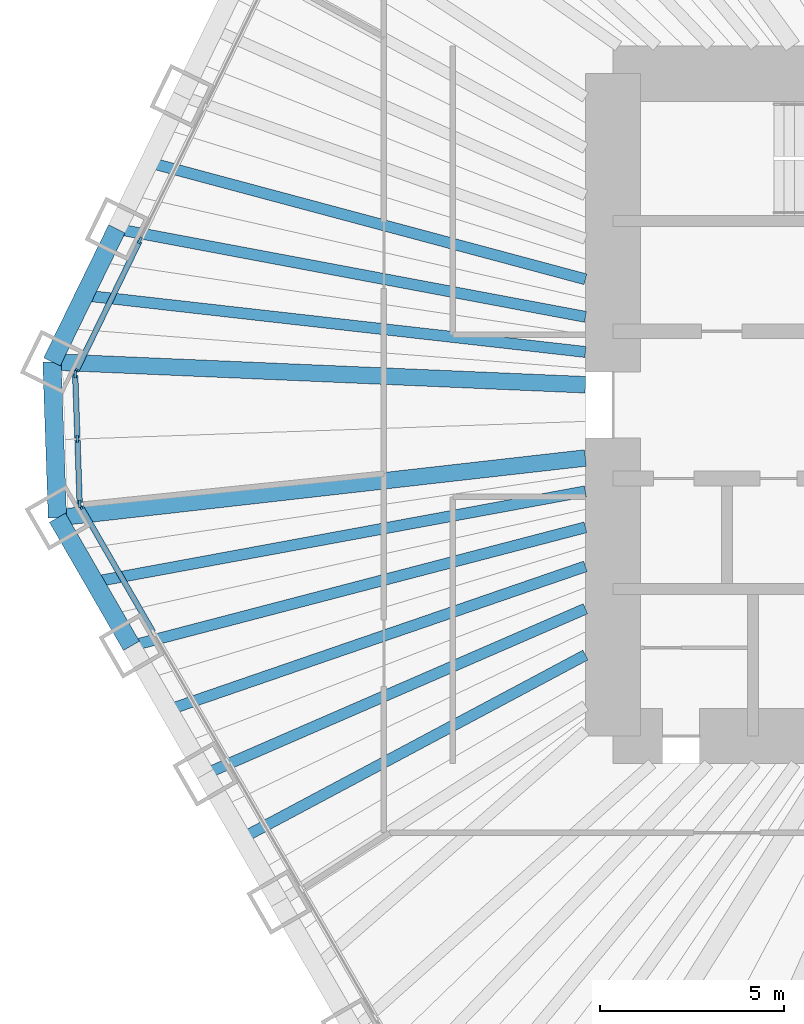
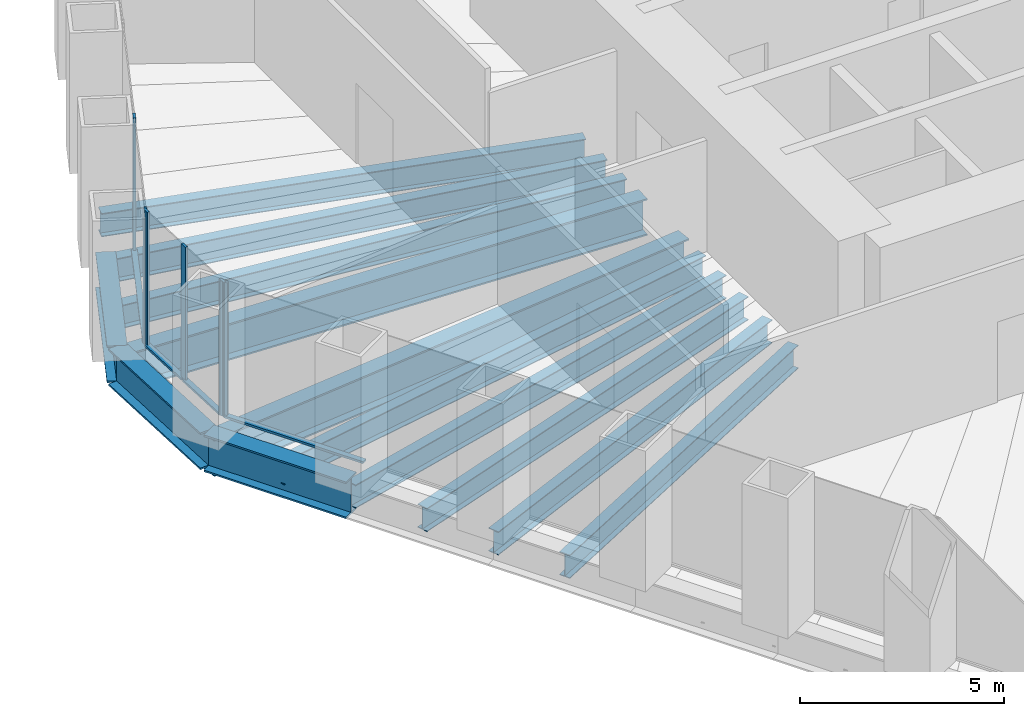
# One storey, part 3 of 13: 13 beams, 10 members, 3 elements without a shape of their own.
"""IFC4 building model written with IfcOpenShell, lengths in metres."""

from ifc_helpers import new_model, si_unit, direction, frame, origin, origin_2d, place, context, subcontext, project, spatial, rectangle, i_section, extrude, material, material_profile, profile_set, type_object, element, aggregate, save


model = new_model("IFC4")

# Units and contexts
model_context = context("Model", 3, precision=1e-05, world=origin(), true_north=direction((0.0, 1.0)))
body_context = subcontext(model_context, "Body", "Model", "MODEL_VIEW")
ifc_project = project(units=[si_unit("LENGTHUNIT", "METRE"), si_unit("AREAUNIT", "SQUARE_METRE"), si_unit("VOLUMEUNIT", "CUBIC_METRE"), si_unit("PLANEANGLEUNIT", "RADIAN"), si_unit("MASSUNIT", "GRAM", prefix="KILO")], contexts=[model_context])

# Site, building, storey
site_placement = place(None, origin())
site = spatial("IfcSite", under=ifc_project, at=site_placement, CompositionType="ELEMENT")
building_placement = place(site_placement, origin())
building = spatial("IfcBuilding", under=site, at=building_placement, Name="Qingtian Harvest Tower", CompositionType="ELEMENT")
storey_placement = place(building_placement, frame((0.0, 0.0, 136.60009765625)))
storey = spatial("IfcBuildingStorey", under=building, at=storey_placement, Name="L28", CompositionType="ELEMENT", Elevation=136.60009765625)

# Beams
ifc_material_1 = material(Name="Steel SM570MC", Category="steel")
ifc_material_profile_1 = material_profile(ifc_material_1, i_section(OverallWidth=0.449951171875, OverallDepth=1.10009765625, WebThickness=0.02197265625, FlangeThickness=0.044921875, at=origin_2d()), Name="H1100x450x22x45")
ifc_profile_set_1 = profile_set([ifc_material_profile_1], Name="Steel SM570MC")
beam_type_1 = type_object("IfcBeamType", Name="Corner floor beam FB8 H1100x450x22x45", PredefinedType="BEAM", material=ifc_profile_set_1)
beam_1_placement = place(storey_placement, frame((-27.096923828125, -3.066650390625, -0.72021484375), z_axis=(0.993656070393, 0.112461610213, 0.0), x_axis=(-0.112461610213, 0.993656070393, 0.0)))
element("IfcBeam", 1, at=beam_1_placement, inside=storey, type_object=beam_type_1, Name="Floor beam FB8 SW6", PredefinedType="BEAM", context=body_context, shape_type="SweptSolid", body=[
    extrude(i_section(OverallWidth=0.449951171875, OverallDepth=1.10009765625, WebThickness=0.02197265625, FlangeThickness=0.044921875, at=origin_2d()), origin(), (0.0, 0.0, 1.0), 14.4384765625),
])
beam_2_placement = place(storey_placement, frame((-27.244873046875, 1.1689453125, -0.72021484375), z_axis=(0.999081074678, -0.042860310542, 0.0), x_axis=(0.042860310542, 0.999081074678, 0.0)))
element("IfcBeam", 2, at=beam_2_placement, inside=storey, type_object=beam_type_1, Name="Floor beam FB8 NW0", PredefinedType="BEAM", context=body_context, shape_type="SweptSolid", body=[
    extrude(i_section(OverallWidth=0.449951171875, OverallDepth=1.10009765625, WebThickness=0.02197265625, FlangeThickness=0.044921875, at=origin_2d()), origin(), (0.0, 0.0, 1.0), 14.50830078125),
])
ifc_material_2 = material(Name="Steel SN490B", Category="steel")
ifc_material_profile_2 = material_profile(ifc_material_2, i_section(OverallWidth=0.300048828125, OverallDepth=0.699951171875, WebThickness=0.012939453125, FlangeThickness=0.02392578125, at=origin_2d()), Name="H700x300x13x24")
ifc_profile_set_2 = profile_set([ifc_material_profile_2], Name="Steel SN490B")
beam_type_2 = type_object("IfcBeamType", Name="Floor beam FB2 H700x300x13x24", PredefinedType="BEAM", material=ifc_profile_set_2)
beam_3_placement = place(storey_placement, frame((-23.077880859375, -10.02783203125, -0.52001953125), z_axis=(0.917154138631, 0.398532666154, 0.0), x_axis=(-0.398532666154, 0.917154138631, 0.0)))
element("IfcBeam", 3, at=beam_3_placement, inside=storey, type_object=beam_type_2, Name="Floor beam FB2 SW4", PredefinedType="BEAM", context=body_context, shape_type="SweptSolid", body=[
    extrude(i_section(OverallWidth=0.300048828125, OverallDepth=0.699951171875, WebThickness=0.012939453125, FlangeThickness=0.02392578125, at=origin_2d()), origin(), (0.0, 0.0, 1.0), 11.2607421875),
])
beam_4_placement = place(storey_placement, frame((-25.08740234375, -6.547119140625, -0.52001953125), z_axis=(0.967592867696, 0.252515429991, 0.0), x_axis=(-0.252515429991, 0.967592867696, 0.0)))
element("IfcBeam", 4, at=beam_4_placement, inside=storey, type_object=beam_type_2, Name="Floor beam FB2 SW5", PredefinedType="BEAM", context=body_context, shape_type="SweptSolid", body=[
    extrude(i_section(OverallWidth=0.300048828125, OverallDepth=0.699951171875, WebThickness=0.012939453125, FlangeThickness=0.02392578125, at=origin_2d()), origin(), (0.0, 0.0, 1.0), 12.750732421875),
])
beam_5_placement = place(storey_placement, frame((-25.483154296875, 4.78125, -0.52001953125), z_axis=(0.982851913913, -0.184396625015, 0.0), x_axis=(0.184396625015, 0.982851913913, 0.0)))
element("IfcBeam", 5, at=beam_5_placement, inside=storey, type_object=beam_type_2, Name="Floor beam FB2 NW1", PredefinedType="BEAM", context=body_context, shape_type="SweptSolid", body=[
    extrude(i_section(OverallWidth=0.300048828125, OverallDepth=0.699951171875, WebThickness=0.012939453125, FlangeThickness=0.02392578125, at=origin_2d()), origin(), (0.0, 0.0, 1.0), 12.955322265625),
])
ifc_material_3 = material(Name="Steel SN490B", Category="steel")
ifc_material_profile_3 = material_profile(ifc_material_3, i_section(OverallWidth=0.300048828125, OverallDepth=0.699951171875, WebThickness=0.012939453125, FlangeThickness=0.02392578125, at=origin_2d()), Name="H700x300x13x24")
ifc_profile_set_3 = profile_set([ifc_material_profile_3], Name="Steel SN490B")
beam_type_3 = type_object("IfcBeamType", Name="Floor joist J2 H700x300x13x24", PredefinedType="JOIST", material=ifc_profile_set_3)
beam_6_placement = place(storey_placement, frame((-22.0732421875, -11.76806640625, -0.52001953125), z_axis=(0.882429048443, 0.47044550637, 0.0), x_axis=(-0.47044550637, 0.882429048443, 0.0)))
element("IfcBeam", 6, at=beam_6_placement, inside=storey, type_object=beam_type_3, Name="Floor joist J2 SW3", PredefinedType="JOIST", context=body_context, shape_type="SweptSolid", body=[
    extrude(i_section(OverallWidth=0.300048828125, OverallDepth=0.699951171875, WebThickness=0.012939453125, FlangeThickness=0.02392578125, at=origin_2d()), origin(), (0.0, 0.0, 1.0), 10.5654296875),
])
beam_7_placement = place(storey_placement, frame((-24.082763671875, -8.28759765625, -0.52001953125), z_axis=(0.945577150072, 0.325397992099, 0.0), x_axis=(-0.325397992099, 0.945577150072, 0.0)))
element("IfcBeam", 7, at=beam_7_placement, inside=storey, type_object=beam_type_3, Name="Floor joist J2 SW4", PredefinedType="JOIST", context=body_context, shape_type="SweptSolid", body=[
    extrude(i_section(OverallWidth=0.300048828125, OverallDepth=0.699951171875, WebThickness=0.012939453125, FlangeThickness=0.02392578125, at=origin_2d()), origin(), (0.0, 0.0, 1.0), 11.985107421875),
])
beam_8_placement = place(storey_placement, frame((-26.09228515625, -4.806884765625, -0.52001953125), z_axis=(0.983450319804, 0.181178002192, 0.0), x_axis=(-0.181178002192, 0.983450319804, 0.0)))
element("IfcBeam", 8, at=beam_8_placement, inside=storey, type_object=beam_type_3, Name="Floor joist J2 SW5", PredefinedType="JOIST", context=body_context, shape_type="SweptSolid", body=[
    extrude(i_section(OverallWidth=0.300048828125, OverallDepth=0.699951171875, WebThickness=0.012939453125, FlangeThickness=0.02392578125, at=origin_2d()), origin(), (0.0, 0.0, 1.0), 13.56689453125),
])
beam_9_placement = place(storey_placement, frame((-26.364013671875, 2.97509765625, -0.52001953125), z_axis=(0.993692330348, -0.112140771387, 0.0), x_axis=(0.112140771387, 0.993692330348, 0.0)))
element("IfcBeam", 9, at=beam_9_placement, inside=storey, type_object=beam_type_3, Name="Floor joist J2 NW0", PredefinedType="JOIST", context=body_context, shape_type="SweptSolid", body=[
    extrude(i_section(OverallWidth=0.300048828125, OverallDepth=0.699951171875, WebThickness=0.012939453125, FlangeThickness=0.02392578125, at=origin_2d()), origin(), (0.0, 0.0, 1.0), 13.700439453125),
])
beam_10_placement = place(storey_placement, frame((-24.60205078125, 6.58740234375, -0.52001953125), z_axis=(0.965969893862, -0.258654526641, 0.0), x_axis=(0.258654526641, 0.965969893862, 0.0)))
element("IfcBeam", 10, at=beam_10_placement, inside=storey, type_object=beam_type_3, Name="Floor joist J2 NW1", PredefinedType="JOIST", context=body_context, shape_type="SweptSolid", body=[
    extrude(i_section(OverallWidth=0.300048828125, OverallDepth=0.699951171875, WebThickness=0.012939453125, FlangeThickness=0.02392578125, at=origin_2d()), origin(), (0.0, 0.0, 1.0), 12.26953125),
])

# Curtain wall, member
ifc_material_4 = material(Name="Bronze-anodised aluminium curtain wall", Category="aluminium")
curtain_wall_type = type_object("IfcCurtainWallType", Name="Curtain wall CW4 office", PredefinedType="USERDEFINED", material=ifc_material_4)
curtain_wall_1_placement = place(storey_placement, origin())
curtain_wall_1 = element("IfcCurtainWall", 11, at=curtain_wall_1_placement, inside=storey, type_object=curtain_wall_type, Name="Curtain wall CW4 L28 SW0-5", ObjectType="RECESSED CURTAIN WALL", PredefinedType="USERDEFINED")
ifc_material_5 = material(Name="Bronze-anodised aluminium mullion", Category="aluminium")
ifc_material_profile_4 = material_profile(ifc_material_5, rectangle(XDim=0.06494140625, YDim=0.199951171875, at=origin_2d()), Name="AL 65x200")
ifc_profile_set_4 = profile_set([ifc_material_profile_4], Name="Bronze-anodised aluminium mullion")
member_type_1 = type_object("IfcMemberType", Name="Mullion CWM 65x200", PredefinedType="MULLION", material=ifc_profile_set_4)
member_1_placement = place(storey_placement, frame((-26.474609375, -2.744873046875, 0.0), z_axis=(0.0, 0.0, 1.0), x_axis=(-0.866025403784, -0.5, 0.0)))
member_1 = element("IfcMember", 12, at=member_1_placement, type_object=member_type_1, Name="CW4 mullion 7", PredefinedType="MULLION", context=body_context, shape_type="SweptSolid", body=[
    extrude(rectangle(XDim=0.06494140625, YDim=0.199951171875, at=origin_2d()), origin(), (0.0, 0.0, 1.0), 4.02978515625),
])

# Curtain wall, members
curtain_wall_2_placement = place(storey_placement, origin())
curtain_wall_2 = element("IfcCurtainWall", 13, at=curtain_wall_2_placement, inside=storey, type_object=curtain_wall_type, Name="Curtain wall CW4 L28 SWC", ObjectType="RECESSED CURTAIN WALL", PredefinedType="USERDEFINED")
member_2_placement = place(storey_placement, frame((-26.491943359375, -2.68408203125, 0.0), z_axis=(0.0, 0.0, 1.0), x_axis=(-0.999390827019, -0.034899496703, 0.0)))
member_2 = element("IfcMember", 14, at=member_2_placement, type_object=member_type_1, Name="CW4 mullion 1", PredefinedType="MULLION", context=body_context, shape_type="SweptSolid", body=[
    extrude(rectangle(XDim=0.06494140625, YDim=0.199951171875, at=origin_2d()), origin(), (0.0, 0.0, 1.0), 4.02978515625),
])
member_3_placement = place(storey_placement, frame((-26.55322265625, -0.92724609375, 0.0), z_axis=(0.0, 0.0, 1.0), x_axis=(-0.999390827019, -0.034899496703, 0.0)))
member_3 = element("IfcMember", 15, at=member_3_placement, type_object=member_type_1, Name="CW4 mullion 2", PredefinedType="MULLION", context=body_context, shape_type="SweptSolid", body=[
    extrude(rectangle(XDim=0.06494140625, YDim=0.199951171875, at=origin_2d()), origin(), (0.0, 0.0, 1.0), 4.02978515625),
])
member_4_placement = place(storey_placement, frame((-26.614501953125, 0.82958984375, 0.0), z_axis=(0.0, 0.0, 1.0), x_axis=(-0.999390827019, -0.034899496703, 0.0)))
member_4 = element("IfcMember", 16, at=member_4_placement, type_object=member_type_1, Name="CW4 mullion 3", PredefinedType="MULLION", context=body_context, shape_type="SweptSolid", body=[
    extrude(rectangle(XDim=0.06494140625, YDim=0.199951171875, at=origin_2d()), origin(), (0.0, 0.0, 1.0), 4.02978515625),
])

curtain_wall_3_placement = place(storey_placement, origin())
curtain_wall_3 = element("IfcCurtainWall", 17, at=curtain_wall_3_placement, inside=storey, type_object=curtain_wall_type, Name="Curtain wall CW4 L28 NW0-5", ObjectType="RECESSED CURTAIN WALL", PredefinedType="USERDEFINED")
member_5_placement = place(storey_placement, frame((-26.6015625, 0.891357421875, 0.0), z_axis=(0.0, 0.0, 1.0), x_axis=(-0.898794046299, 0.438371146789, 0.0)))
member_5 = element("IfcMember", 18, at=member_5_placement, type_object=member_type_1, Name="CW4 mullion 1", PredefinedType="MULLION", context=body_context, shape_type="SweptSolid", body=[
    extrude(rectangle(XDim=0.06494140625, YDim=0.199951171875, at=origin_2d()), origin(), (0.0, 0.0, 1.0), 4.02978515625),
])
member_6_placement = place(storey_placement, frame((-24.85400390625, 4.474365234375, 0.0), z_axis=(0.0, 0.0, 1.0), x_axis=(-0.898794046299, 0.438371146789, 0.0)))
member_6 = element("IfcMember", 19, at=member_6_placement, type_object=member_type_1, Name="CW4 mullion 2", PredefinedType="MULLION", context=body_context, shape_type="SweptSolid", body=[
    extrude(rectangle(XDim=0.06494140625, YDim=0.199951171875, at=origin_2d()), origin(), (0.0, 0.0, 1.0), 4.02978515625),
])

# Beams
ifc_material_6 = material(Name="Steel SM570MC", Category="steel")
ifc_material_profile_5 = material_profile(ifc_material_6, i_section(OverallWidth=0.5, OverallDepth=1.10009765625, WebThickness=0.02490234375, FlangeThickness=0.050048828125, at=origin_2d()), Name="H1100x500x25x50")
ifc_profile_set_5 = profile_set([ifc_material_profile_5], Name="Steel SM570MC")
beam_type_4 = type_object("IfcBeamType", Name="Spandrel beam SB2 H1100x500x25x50", PredefinedType="SPANDREL", material=ifc_profile_set_5)
beam_11_placement = place(storey_placement, frame((-25.08740234375, -6.547119140625, -0.550048828125), z_axis=(-0.500013420409, 0.866017655369, 0.0), x_axis=(-0.866017655369, -0.500013420409, 0.0)))
element("IfcBeam", 20, at=beam_11_placement, inside=storey, type_object=beam_type_4, Name="Spandrel SB2 SW5", PredefinedType="SPANDREL", context=body_context, shape_type="SweptSolid", body=[
    extrude(i_section(OverallWidth=0.5, OverallDepth=1.10009765625, WebThickness=0.02490234375, FlangeThickness=0.050048828125, at=origin_2d()), origin(), (0.0, 0.0, 1.0), 4.01904296875),
])
beam_12_placement = place(storey_placement, frame((-27.096923828125, -3.066650390625, -0.550048828125), z_axis=(-0.034908677553, 0.999390506375, 0.0), x_axis=(-0.999390506375, -0.034908677553, 0.0)))
element("IfcBeam", 21, at=beam_12_placement, inside=storey, type_object=beam_type_4, Name="Spandrel SB2 SWC", PredefinedType="SPANDREL", context=body_context, shape_type="SweptSolid", body=[
    extrude(i_section(OverallWidth=0.5, OverallDepth=1.10009765625, WebThickness=0.02490234375, FlangeThickness=0.050048828125, at=origin_2d()), origin(), (0.0, 0.0, 1.0), 4.23828125),
])
beam_13_placement = place(storey_placement, frame((-27.244873046875, 1.1689453125, -0.550048828125), z_axis=(0.438347033158, 0.898805806902, 0.0), x_axis=(-0.898805806902, 0.438347033158, 0.0)))
element("IfcBeam", 22, at=beam_13_placement, inside=storey, type_object=beam_type_4, Name="Spandrel SB2 NW0", PredefinedType="SPANDREL", context=body_context, shape_type="SweptSolid", body=[
    extrude(i_section(OverallWidth=0.5, OverallDepth=1.10009765625, WebThickness=0.02490234375, FlangeThickness=0.050048828125, at=origin_2d()), origin(), (0.0, 0.0, 1.0), 4.01904296875),
])

# Member
ifc_material_7 = material(Name="Bronze-anodised aluminium transom", Category="aluminium")
ifc_material_profile_6 = material_profile(ifc_material_7, rectangle(XDim=0.14990234375, YDim=0.06494140625, at=origin_2d()), Name="AL 65x150")
ifc_profile_set_6 = profile_set([ifc_material_profile_6], Name="Bronze-anodised aluminium transom")
member_type_2 = type_object("IfcMemberType", Name="Transom CWT 65x150", PredefinedType="USERDEFINED", material=ifc_profile_set_6)
member_7_placement = place(storey_placement, frame((-24.49755859375, -6.169189453125, 0.032470703125), z_axis=(-0.499975738995, 0.866039410429, 0.0), x_axis=(-0.866039410429, -0.499975738995, 0.0)))
member_7 = element("IfcMember", 23, at=member_7_placement, type_object=member_type_2, Name="CW4 transom 6.1", ObjectType="TRANSOM", PredefinedType="USERDEFINED", context=body_context, shape_type="SweptSolid", body=[
    extrude(rectangle(XDim=0.14990234375, YDim=0.06494140625, at=origin_2d()), origin(), (0.0, 0.0, 1.0), 3.921630859375),
])

aggregate(curtain_wall_1, [member_1, member_7])

member_8_placement = place(storey_placement, frame((-26.4931640625, -2.651611328125, 0.032470703125), z_axis=(-0.034899362377, 0.99939083171, 0.0), x_axis=(-0.99939083171, -0.034899362377, 0.0)))
member_8 = element("IfcMember", 24, at=member_8_placement, type_object=member_type_2, Name="CW4 transom 1.1", ObjectType="TRANSOM", PredefinedType="USERDEFINED", context=body_context, shape_type="SweptSolid", body=[
    extrude(rectangle(XDim=0.14990234375, YDim=0.06494140625, at=origin_2d()), origin(), (0.0, 0.0, 1.0), 1.69287109375),
])

member_9_placement = place(storey_placement, frame((-26.554443359375, -0.894775390625, 0.032470703125), z_axis=(-0.034899362377, 0.99939083171, 0.0), x_axis=(-0.99939083171, -0.034899362377, 0.0)))
member_9 = element("IfcMember", 25, at=member_9_placement, type_object=member_type_2, Name="CW4 transom 2.1", ObjectType="TRANSOM", PredefinedType="USERDEFINED", context=body_context, shape_type="SweptSolid", body=[
    extrude(rectangle(XDim=0.14990234375, YDim=0.06494140625, at=origin_2d()), origin(), (0.0, 0.0, 1.0), 1.69287109375),
])

aggregate(curtain_wall_2, [member_2, member_3, member_4, member_8, member_9])

member_10_placement = place(storey_placement, frame((-26.587158203125, 0.92041015625, 0.032470703125), z_axis=(0.438326734225, 0.898815706396, 0.0), x_axis=(-0.898815706396, 0.438326734225, 0.0)))
member_10 = element("IfcMember", 26, at=member_10_placement, type_object=member_type_2, Name="CW4 transom 1.1", ObjectType="TRANSOM", PredefinedType="USERDEFINED", context=body_context, shape_type="SweptSolid", body=[
    extrude(rectangle(XDim=0.14990234375, YDim=0.06494140625, at=origin_2d()), origin(), (0.0, 0.0, 1.0), 3.921630859375),
])

aggregate(curtain_wall_3, [member_5, member_6, member_10])

save(model, "model.ifc")
